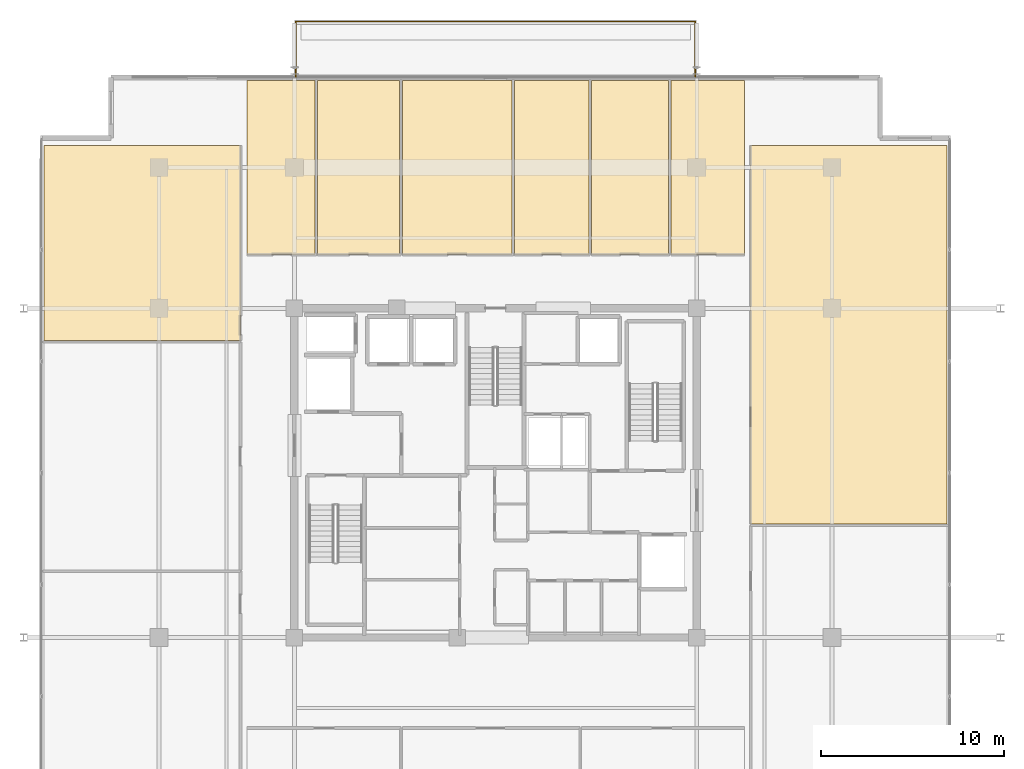
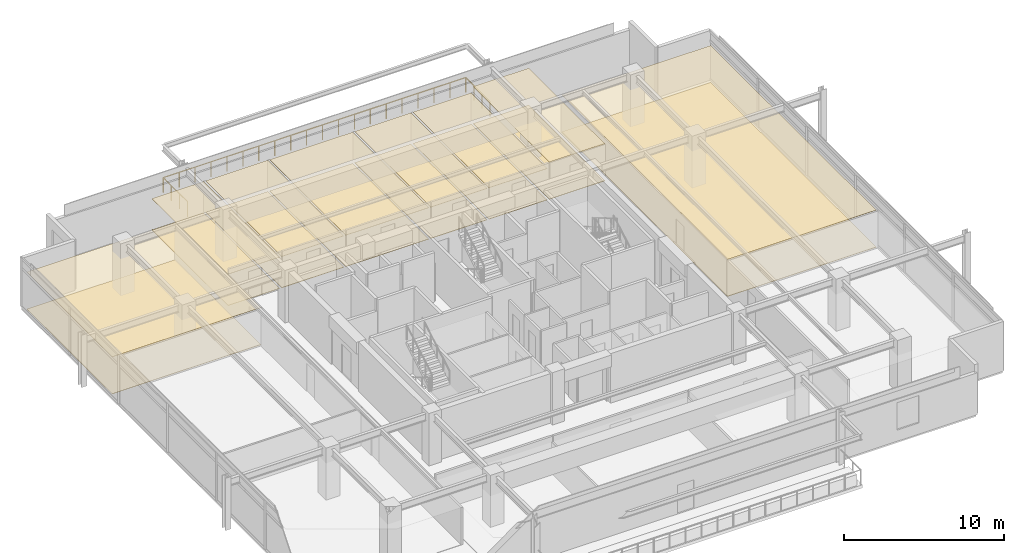
# One storey, part 20 of 20: 16 coverings, 1 railing.
"""IFC4 building model written with IfcOpenShell, lengths in metres."""

import ifcopenshell
import ifcopenshell.guid

model = None  # the IFC model being written
_history = None  # IfcOwnerHistory: only IFC2X3 demands one
_inside = {}  # id of a spatial element -> (the spatial element, [elements in it])
_under = {}  # id of a project, library or spatial element -> (it, [spatial elements below it])
_declared = {}  # id of a project -> (the project, [libraries it declares])
_typed = {}  # id of a type object -> (the type object, [elements of that type])
_made_of = {}  # id of a material, layer set ... -> (it, [elements and type objects made of it])


def new_model(schema):
    """Start an empty IFC model of exactly this schema.

    Asked for "IFC4X3", IfcOpenShell would pick the latest addendum, in which some entities
    have other attributes; the version numbers below select the first issue.
    IFC2X3 requires an IfcOwnerHistory on every rooted entity: one is made here for all.
    """
    global model, _history
    if schema == "IFC4X3":
        model = ifcopenshell.file(schema_version=(4, 3, 0, 0))
    else:
        model = ifcopenshell.file(schema=schema)
    _inside.clear()
    _under.clear()
    _declared.clear()
    _typed.clear()
    _made_of.clear()
    _history = None
    if model.schema == "IFC2X3":
        org = make("IfcOrganization", Name="unknown")
        user = make(
            "IfcPersonAndOrganization",
            ThePerson=make("IfcPerson", FamilyName="unknown"),
            TheOrganization=org,
        )
        app = make(
            "IfcApplication",
            ApplicationDeveloper=org,
            Version="unknown",
            ApplicationFullName="unknown",
            ApplicationIdentifier="unknown",
        )
        _history = make(
            "IfcOwnerHistory",
            OwningUser=user,
            OwningApplication=app,
            ChangeAction="ADDED",
            CreationDate=0,
        )
    return model


def make(cls, **values):
    """One entity of the class cls with the attributes given. An attribute that is None is left unset."""
    return model.create_entity(
        cls, **{name: value for name, value in values.items() if value is not None}
    )


def rooted(cls, **values):
    """An entity with a GlobalId (a new one), such as an element, a storey or a relation."""
    return make(cls, GlobalId=ifcopenshell.guid.new(), OwnerHistory=_history, **values)


def si_unit(unit_type, name, prefix=None):
    """IfcSIUnit, for example si_unit("LENGTHUNIT", "METRE", prefix="MILLI")."""
    return make("IfcSIUnit", UnitType=unit_type, Prefix=prefix, Name=name)


def assignment(units):
    """IfcUnitAssignment: the units of a project."""
    return None if units is None else make("IfcUnitAssignment", Units=units)


def point(xyz):
    """IfcCartesianPoint."""
    return None if xyz is None else make("IfcCartesianPoint", Coordinates=xyz)


def direction(xyz):
    """IfcDirection."""
    return None if xyz is None else make("IfcDirection", DirectionRatios=xyz)


def frame(location, z_axis=None, x_axis=None):
    """IfcAxis2Placement3D, a coordinate frame: its origin and axes. An axis left out is left unset."""
    return make(
        "IfcAxis2Placement3D",
        Location=point(location),
        Axis=direction(z_axis),
        RefDirection=direction(x_axis),
    )


def frame_2d(location, x_axis=None):
    """IfcAxis2Placement2D, a coordinate frame in the plane: its origin and x axis."""
    return make(
        "IfcAxis2Placement2D", Location=point(location), RefDirection=direction(x_axis)
    )


def origin():
    """The frame at (0, 0, 0) with its axes left unset."""
    return frame((0.0, 0.0, 0.0))


def origin_2d():
    """The frame at (0, 0) in the plane with its x axis left unset."""
    return frame_2d((0.0, 0.0))


def place(relative_to, where):
    """IfcLocalPlacement: puts the frame where relative to a parent placement (None: the world)."""
    return make(
        "IfcLocalPlacement", PlacementRelTo=relative_to, RelativePlacement=where
    )


def context(
    kind, dimensions, precision=None, world=None, true_north=None, identifier=None
):
    """IfcGeometricRepresentationContext, for example the 3D "Model" context."""
    return make(
        "IfcGeometricRepresentationContext",
        ContextIdentifier=identifier,
        ContextType=kind,
        CoordinateSpaceDimension=dimensions,
        Precision=precision,
        WorldCoordinateSystem=world,
        TrueNorth=true_north,
    )


def subcontext(parent, identifier, kind, view, scale=None):
    """IfcGeometricRepresentationSubContext, for example "Body" below "Model"."""
    return make(
        "IfcGeometricRepresentationSubContext",
        ContextIdentifier=identifier,
        ContextType=kind,
        ParentContext=parent,
        TargetScale=scale,
        TargetView=view,
    )


def project(units=None, contexts=None):
    """IfcProject with its units and contexts."""
    return rooted(
        "IfcProject",
        Name="project",
        RepresentationContexts=contexts,
        UnitsInContext=assignment(units),
    )


def spatial(cls, under=None, at=None, **own):
    """A site, building, storey or space (cls), placed at a placement, below another one or the project."""
    s = rooted(cls, ObjectPlacement=at, **own)
    if under is not None:
        _under.setdefault(under.id(), (under, []))[1].append(s)
    return s


def polyline(points):
    """IfcPolyline through the points."""
    return make("IfcPolyline", Points=[point(p) for p in points])


def profile(cls, at=None, kind="AREA", **sizes):
    """A parametric profile (cls). Its sizes go by their IFC names, for example OverallWidth=200.0."""
    return make(cls, ProfileType=kind, Position=at, **sizes)


def circle(**sizes):
    """IfcCircleProfileDef."""
    return profile("IfcCircleProfileDef", **sizes)


def outline(outer, holes=None, kind="AREA"):
    """IfcArbitraryClosedProfileDef: a profile drawn as a closed curve; with holes, ...WithVoids."""
    if holes is None:
        return make("IfcArbitraryClosedProfileDef", ProfileType=kind, OuterCurve=outer)
    return make(
        "IfcArbitraryProfileDefWithVoids",
        ProfileType=kind,
        OuterCurve=outer,
        InnerCurves=holes,
    )


def extrude(swept, where, along, depth):
    """IfcExtrudedAreaSolid: the profile swept, set in the frame where, extruded along a direction by depth."""
    return make(
        "IfcExtrudedAreaSolid",
        SweptArea=swept,
        Position=where,
        ExtrudedDirection=direction(along),
        Depth=depth,
    )


def shape(context_of_items, identifier, shape_type, items):
    """IfcShapeRepresentation: the items that make up one representation, for example the "Body"."""
    return make(
        "IfcShapeRepresentation",
        ContextOfItems=context_of_items,
        RepresentationIdentifier=identifier,
        RepresentationType=shape_type,
        Items=items,
    )


def material(Name=None, Category=None):
    """IfcMaterial."""
    return make("IfcMaterial", Name=Name, Category=Category)


def layer(
    of_material, thickness, ventilated=None, Name=None, Category=None, Priority=None
):
    """IfcMaterialLayer: one layer of a wall or slab, of a material (None: an air gap)."""
    return make(
        "IfcMaterialLayer",
        Material=of_material,
        LayerThickness=thickness,
        IsVentilated=ventilated,
        Name=Name,
        Category=Category,
        Priority=Priority,
    )


def layer_set(layers, Name=None):
    """IfcMaterialLayerSet."""
    return make("IfcMaterialLayerSet", MaterialLayers=layers, LayerSetName=Name)


def made_of(thing, what):
    """Note that an element or type object is made of a material, layer set ...; save() writes the relation."""
    if what is not None:
        _made_of.setdefault(what.id(), (what, []))[1].append(thing)
    return thing


def type_object(cls, material=None, **own):
    """A type object (cls), such as IfcWallType, which elements share."""
    return made_of(rooted(cls, **own), material)


def element(
    cls,
    number,
    at=None,
    inside=None,
    cuts=None,
    type_object=None,
    material=None,
    context=None,
    identifier="Body",
    shape_type=None,
    held_by="IfcProductDefinitionShape",
    body=None,
    shapes=None,
    **own,
):
    """One element of the class cls, such as IfcWall. Its Tag is "e" and its number.

    at: its placement. inside: the storey or other place that contains it. cuts: it is an
    opening in that element (IfcRelVoidsElement). A single representation is given by context,
    identifier, shape_type and body (its items); several are given by shapes. held_by: the class
    of the entity that holds the representations. save() writes the other relations.
    """
    e = rooted(cls, Tag="e%d" % number, ObjectPlacement=at, **own)
    if body is not None:
        shapes = [shape(context, identifier, shape_type, body)]
    if shapes is not None:
        e.Representation = make(held_by, Representations=shapes)
    if inside is not None:
        _inside.setdefault(inside.id(), (inside, []))[1].append(e)
    if cuts is not None:
        rooted(
            "IfcRelVoidsElement", RelatingBuildingElement=cuts, RelatedOpeningElement=e
        )
    if type_object is not None:
        _typed.setdefault(type_object.id(), (type_object, []))[1].append(e)
    return made_of(e, material)


def aggregate(whole, parts):
    """IfcRelAggregates: a whole, such as a stair, and the parts it consists of."""
    return rooted("IfcRelAggregates", RelatingObject=whole, RelatedObjects=parts)


def save(model, path):
    """Write the relations noted so far, then the file.

    IfcRelAggregates (storeys below a building ...), IfcRelContainedInSpatialStructure (elements
    in a storey), IfcRelDefinesByType, IfcRelAssociatesMaterial and IfcRelDeclares: one each for
    every whole, place, type object, material and project.
    """
    for whole, parts in _under.values():
        aggregate(whole, parts)
    for where, things in _inside.values():
        rooted(
            "IfcRelContainedInSpatialStructure",
            RelatedElements=things,
            RelatingStructure=where,
        )
    for kind, things in _typed.values():
        rooted("IfcRelDefinesByType", RelatedObjects=things, RelatingType=kind)
    for what, things in _made_of.values():
        rooted("IfcRelAssociatesMaterial", RelatedObjects=things, RelatingMaterial=what)
    for by, libraries in _declared.values():
        rooted("IfcRelDeclares", RelatingContext=by, RelatedDefinitions=libraries)
    model.write(path)


model = new_model("IFC4")

# Units and contexts
model_context = context("Model", 3, precision=1e-05, world=origin(), true_north=direction((0.0, 1.0)))
body_context = subcontext(model_context, "Body", "Model", "MODEL_VIEW")
ifc_project = project(units=[si_unit("LENGTHUNIT", "METRE"), si_unit("AREAUNIT", "SQUARE_METRE"), si_unit("VOLUMEUNIT", "CUBIC_METRE"), si_unit("PLANEANGLEUNIT", "RADIAN"), si_unit("MASSUNIT", "GRAM", prefix="KILO")], contexts=[model_context])

# Site, building, storey
site_placement = place(None, origin())
site = spatial("IfcSite", under=ifc_project, at=site_placement, CompositionType="ELEMENT")
building_placement = place(site_placement, origin())
building = spatial("IfcBuilding", under=site, at=building_placement, Name="Kovane Verandah Tower", CompositionType="ELEMENT")
storey_placement = place(building_placement, frame((0.0, 0.0, 318.800048828125)))
storey = spatial("IfcBuildingStorey", under=building, at=storey_placement, Name="L74", CompositionType="ELEMENT", Elevation=318.800048828125)

# Coverings
ifc_material_1 = material(Name="Perforated Acoustic Mineral-Fibre Ceiling Tile", Category="gypsum")
ifc_layer_1 = layer(ifc_material_1, 0.02490234375)
ifc_layer_set_1 = layer_set([ifc_layer_1], Name="Perforated Acoustic Mineral-Fibre Ceiling Tile")
covering_type_1 = type_object("IfcCoveringType", Name="CV-CEIL-25", PredefinedType="CEILING", material=ifc_layer_set_1)
covering_1_placement = place(storey_placement, frame((0.0, 0.0, 2.389892578125)))
element("IfcCovering", 1, at=covering_1_placement, inside=storey, type_object=covering_type_1, Name="L74 Meeting Room N1 Acoustic Ceiling", PredefinedType="CEILING", context=body_context, shape_type="SweptSolid", body=[
    extrude(outline(polyline([(26.39990234375, 39.449951171875), (30.137939453125, 39.449951171875), (30.137939453125, 48.9658203125), (26.39990234375, 48.9658203125), (26.39990234375, 39.449951171875)])), origin(), (0.0, 0.0, 1.0), 0.025146484375),
])
covering_2_placement = place(storey_placement, frame((0.0, 0.0, 2.389892578125)))
element("IfcCovering", 2, at=covering_2_placement, inside=storey, type_object=covering_type_1, Name="L74 Focus Studio N2 Acoustic Ceiling", PredefinedType="CEILING", context=body_context, shape_type="SweptSolid", body=[
    extrude(outline(polyline([(30.278076171875, 39.449951171875), (34.761962890625, 39.449951171875), (34.761962890625, 48.9658203125), (30.278076171875, 48.9658203125), (30.278076171875, 39.449951171875)])), origin(), (0.0, 0.0, 1.0), 0.025146484375),
])
covering_3_placement = place(storey_placement, frame((0.0, 0.0, 2.389892578125)))
element("IfcCovering", 3, at=covering_3_placement, inside=storey, type_object=covering_type_1, Name="L74 Breakout Pantry N3 Acoustic Ceiling", PredefinedType="CEILING", context=body_context, shape_type="SweptSolid", body=[
    extrude(outline(polyline([(34.902099609375, 39.449951171875), (40.89990234375, 39.449951171875), (40.89990234375, 48.9658203125), (34.902099609375, 48.9658203125), (34.902099609375, 39.449951171875)])), origin(), (0.0, 0.0, 1.0), 0.025146484375),
])
covering_4_placement = place(storey_placement, frame((0.0, 0.0, 2.389892578125)))
element("IfcCovering", 4, at=covering_4_placement, inside=storey, type_object=covering_type_1, Name="L74 Collaboration Hub N4 Acoustic Ceiling", PredefinedType="CEILING", context=body_context, shape_type="SweptSolid", body=[
    extrude(outline(polyline([(41.0400390625, 39.449951171875), (45.097900390625, 39.449951171875), (45.097900390625, 48.9658203125), (41.0400390625, 48.9658203125), (41.0400390625, 39.449951171875)])), origin(), (0.0, 0.0, 1.0), 0.025146484375),
])
covering_5_placement = place(storey_placement, frame((0.0, 0.0, 2.389892578125)))
element("IfcCovering", 5, at=covering_5_placement, inside=storey, type_object=covering_type_1, Name="L74 Document and Print Room N5 Acoustic Ceiling", PredefinedType="CEILING", context=body_context, shape_type="SweptSolid", body=[
    extrude(outline(polyline([(45.238037109375, 39.449951171875), (49.449951171875, 39.449951171875), (49.449951171875, 48.9658203125), (45.238037109375, 48.9658203125), (45.238037109375, 39.449951171875)])), origin(), (0.0, 0.0, 1.0), 0.025146484375),
])
covering_6_placement = place(storey_placement, frame((0.0, 0.0, 2.824951171875)))
element("IfcCovering", 6, at=covering_6_placement, inside=storey, type_object=covering_type_1, Name="L74 Open Plan Office N6 Acoustic Ceiling", PredefinedType="CEILING", context=body_context, shape_type="SweptSolid", body=[
    extrude(outline(polyline([(49.590087890625, 39.449951171875), (53.60009765625, 39.449951171875), (53.60009765625, 48.9658203125), (49.590087890625, 48.9658203125), (49.590087890625, 39.449951171875)])), origin(), (0.0, 0.0, 1.0), 0.02490234375),
])
covering_7_placement = place(storey_placement, frame((0.0, 0.0, 2.824951171875)))
element("IfcCovering", 7, at=covering_7_placement, inside=storey, type_object=covering_type_1, Name="L74 Collaboration Hub W3 Acoustic Ceiling", PredefinedType="CEILING", context=body_context, shape_type="SweptSolid", body=[
    extrude(outline(polyline([(15.318603515625, 34.736328125), (26.050048828125, 34.736328125), (26.050048828125, 45.415771484375), (15.318603515625, 45.415771484375), (15.318603515625, 34.736328125)])), origin(), (0.0, 0.0, 1.0), 0.02490234375),
])
covering_8_placement = place(storey_placement, frame((0.0, 0.0, 2.824951171875)))
element("IfcCovering", 8, at=covering_8_placement, inside=storey, type_object=covering_type_1, Name="L74 Open Plan Office E2 Acoustic Ceiling", PredefinedType="CEILING", context=body_context, shape_type="SweptSolid", body=[
    extrude(outline(polyline([(53.949951171875, 24.70361328125), (64.681396484375, 24.70361328125), (64.681396484375, 45.415771484375), (53.949951171875, 45.415771484375), (53.949951171875, 24.70361328125)])), origin(), (0.0, 0.0, 1.0), 0.02490234375),
])
ifc_material_2 = material(Name="Polished Terrazzo and Raised-Access Carpet Tile Finish", Category="concrete")
ifc_layer_2 = layer(ifc_material_2, 0.030029296875)
ifc_layer_set_2 = layer_set([ifc_layer_2], Name="Polished Terrazzo and Raised-Access Carpet Tile Finish")
covering_type_2 = type_object("IfcCoveringType", Name="CV-FLOR-30", PredefinedType="FLOORING", material=ifc_layer_set_2)
covering_9_placement = place(storey_placement, origin())
element("IfcCovering", 9, at=covering_9_placement, inside=storey, type_object=covering_type_2, Name="L74 Meeting Room N1 Floor Finish", PredefinedType="FLOORING", context=body_context, shape_type="SweptSolid", body=[
    extrude(outline(polyline([(26.39990234375, 39.449951171875), (30.137939453125, 39.449951171875), (30.137939453125, 48.9658203125), (26.39990234375, 48.9658203125), (26.39990234375, 39.449951171875)])), origin(), (0.0, 0.0, 1.0), 0.030029296875),
])
covering_10_placement = place(storey_placement, origin())
element("IfcCovering", 10, at=covering_10_placement, inside=storey, type_object=covering_type_2, Name="L74 Focus Studio N2 Floor Finish", PredefinedType="FLOORING", context=body_context, shape_type="SweptSolid", body=[
    extrude(outline(polyline([(30.278076171875, 39.449951171875), (34.761962890625, 39.449951171875), (34.761962890625, 48.9658203125), (30.278076171875, 48.9658203125), (30.278076171875, 39.449951171875)])), origin(), (0.0, 0.0, 1.0), 0.030029296875),
])
covering_11_placement = place(storey_placement, origin())
element("IfcCovering", 11, at=covering_11_placement, inside=storey, type_object=covering_type_2, Name="L74 Breakout Pantry N3 Floor Finish", PredefinedType="FLOORING", context=body_context, shape_type="SweptSolid", body=[
    extrude(outline(polyline([(34.902099609375, 39.449951171875), (40.89990234375, 39.449951171875), (40.89990234375, 48.9658203125), (34.902099609375, 48.9658203125), (34.902099609375, 39.449951171875)])), origin(), (0.0, 0.0, 1.0), 0.030029296875),
])
covering_12_placement = place(storey_placement, origin())
element("IfcCovering", 12, at=covering_12_placement, inside=storey, type_object=covering_type_2, Name="L74 Collaboration Hub N4 Floor Finish", PredefinedType="FLOORING", context=body_context, shape_type="SweptSolid", body=[
    extrude(outline(polyline([(41.0400390625, 39.449951171875), (45.097900390625, 39.449951171875), (45.097900390625, 48.9658203125), (41.0400390625, 48.9658203125), (41.0400390625, 39.449951171875)])), origin(), (0.0, 0.0, 1.0), 0.030029296875),
])
covering_13_placement = place(storey_placement, origin())
element("IfcCovering", 13, at=covering_13_placement, inside=storey, type_object=covering_type_2, Name="L74 Document and Print Room N5 Floor Finish", PredefinedType="FLOORING", context=body_context, shape_type="SweptSolid", body=[
    extrude(outline(polyline([(45.238037109375, 39.449951171875), (49.449951171875, 39.449951171875), (49.449951171875, 48.9658203125), (45.238037109375, 48.9658203125), (45.238037109375, 39.449951171875)])), origin(), (0.0, 0.0, 1.0), 0.030029296875),
])
covering_14_placement = place(storey_placement, origin())
element("IfcCovering", 14, at=covering_14_placement, inside=storey, type_object=covering_type_2, Name="L74 Open Plan Office N6 Floor Finish", PredefinedType="FLOORING", context=body_context, shape_type="SweptSolid", body=[
    extrude(outline(polyline([(49.590087890625, 39.449951171875), (53.60009765625, 39.449951171875), (53.60009765625, 48.9658203125), (49.590087890625, 48.9658203125), (49.590087890625, 39.449951171875)])), origin(), (0.0, 0.0, 1.0), 0.030029296875),
])
covering_15_placement = place(storey_placement, origin())
element("IfcCovering", 15, at=covering_15_placement, inside=storey, type_object=covering_type_2, Name="L74 Collaboration Hub W3 Floor Finish", PredefinedType="FLOORING", context=body_context, shape_type="SweptSolid", body=[
    extrude(outline(polyline([(15.318603515625, 34.736328125), (26.050048828125, 34.736328125), (26.050048828125, 45.415771484375), (15.318603515625, 45.415771484375), (15.318603515625, 34.736328125)])), origin(), (0.0, 0.0, 1.0), 0.030029296875),
])
covering_16_placement = place(storey_placement, origin())
element("IfcCovering", 16, at=covering_16_placement, inside=storey, type_object=covering_type_2, Name="L74 Open Plan Office E2 Floor Finish", PredefinedType="FLOORING", context=body_context, shape_type="SweptSolid", body=[
    extrude(outline(polyline([(53.949951171875, 24.70361328125), (64.681396484375, 24.70361328125), (64.681396484375, 45.415771484375), (53.949951171875, 45.415771484375), (53.949951171875, 24.70361328125)])), origin(), (0.0, 0.0, 1.0), 0.030029296875),
])

# Railing
ifc_material_3 = material(Name="Laminated Glass and Pale-Champagne Stainless Balustrade", Category="glass")
railing_type = type_object("IfcRailingType", Name="RL-BAL-1150", PredefinedType="BALUSTRADE", material=ifc_material_3)
railing_placement = place(storey_placement, frame((29.080078125, 49.165771484375, 0.0)))
element("IfcRailing", 17, at=railing_placement, inside=storey, type_object=railing_type, Name="L74 N Verandah Glass Balustrade", PredefinedType="BALUSTRADE", context=body_context, shape_type="SweptSolid", body=[
    extrude(circle(Radius=0.02392578125, at=origin_2d()), frame((0.0, 0.0, 1.1259765625), z_axis=(0.0, 1.0, 0.0), x_axis=(-1.0, 0.0, 0.0)), (0.0, 0.0, 1.0), 3.02001953125),
    extrude(circle(Radius=0.02392578125, at=origin_2d()), frame((0.0, 3.02001953125, 1.1259765625), z_axis=(1.0, 0.0, 0.0), x_axis=(0.0, 1.0, 0.0)), (0.0, 0.0, 1.0), 21.83984375),
    extrude(circle(Radius=0.02392578125, at=origin_2d()), frame((21.83984375, 3.02001953125, 1.1259765625), z_axis=(0.0, -1.0, 0.0), x_axis=(1.0, 0.0, 0.0)), (0.0, 0.0, 1.0), 3.02001953125),
    extrude(circle(Radius=0.02099609375, at=origin_2d()), origin(), (0.0, 0.0, 1.0), 1.101806640625),
    extrude(circle(Radius=0.02099609375, at=origin_2d()), frame((0.0, 1.006591796875, 0.0)), (0.0, 0.0, 1.0), 1.101806640625),
    extrude(circle(Radius=0.02099609375, at=origin_2d()), frame((0.0, 2.013427734375, 0.0)), (0.0, 0.0, 1.0), 1.101806640625),
    extrude(circle(Radius=0.02099609375, at=origin_2d()), frame((0.0, 3.02001953125, 0.0)), (0.0, 0.0, 1.0), 1.101806640625),
    extrude(circle(Radius=0.02099609375, at=origin_2d()), frame((1.1494140625, 3.02001953125, 0.0)), (0.0, 0.0, 1.0), 1.101806640625),
    extrude(circle(Radius=0.02099609375, at=origin_2d()), frame((2.298828125, 3.02001953125, 0.0)), (0.0, 0.0, 1.0), 1.101806640625),
    extrude(circle(Radius=0.02099609375, at=origin_2d()), frame((3.448486328125, 3.02001953125, 0.0)), (0.0, 0.0, 1.0), 1.101806640625),
    extrude(circle(Radius=0.02099609375, at=origin_2d()), frame((4.597900390625, 3.02001953125, 0.0)), (0.0, 0.0, 1.0), 1.101806640625),
    extrude(circle(Radius=0.02099609375, at=origin_2d()), frame((5.747314453125, 3.02001953125, 0.0)), (0.0, 0.0, 1.0), 1.101806640625),
    extrude(circle(Radius=0.02099609375, at=origin_2d()), frame((6.896728515625, 3.02001953125, 0.0)), (0.0, 0.0, 1.0), 1.101806640625),
    extrude(circle(Radius=0.02099609375, at=origin_2d()), frame((8.046142578125, 3.02001953125, 0.0)), (0.0, 0.0, 1.0), 1.101806640625),
    extrude(circle(Radius=0.02099609375, at=origin_2d()), frame((9.19580078125, 3.02001953125, 0.0)), (0.0, 0.0, 1.0), 1.101806640625),
    extrude(circle(Radius=0.02099609375, at=origin_2d()), frame((10.34521484375, 3.02001953125, 0.0)), (0.0, 0.0, 1.0), 1.101806640625),
    extrude(circle(Radius=0.02099609375, at=origin_2d()), frame((11.49462890625, 3.02001953125, 0.0)), (0.0, 0.0, 1.0), 1.101806640625),
    extrude(circle(Radius=0.02099609375, at=origin_2d()), frame((12.64404296875, 3.02001953125, 0.0)), (0.0, 0.0, 1.0), 1.101806640625),
    extrude(circle(Radius=0.02099609375, at=origin_2d()), frame((13.793701171875, 3.02001953125, 0.0)), (0.0, 0.0, 1.0), 1.101806640625),
    extrude(circle(Radius=0.02099609375, at=origin_2d()), frame((14.943115234375, 3.02001953125, 0.0)), (0.0, 0.0, 1.0), 1.101806640625),
    extrude(circle(Radius=0.02099609375, at=origin_2d()), frame((16.092529296875, 3.02001953125, 0.0)), (0.0, 0.0, 1.0), 1.101806640625),
    extrude(circle(Radius=0.02099609375, at=origin_2d()), frame((17.241943359375, 3.02001953125, 0.0)), (0.0, 0.0, 1.0), 1.101806640625),
    extrude(circle(Radius=0.02099609375, at=origin_2d()), frame((18.391357421875, 3.02001953125, 0.0)), (0.0, 0.0, 1.0), 1.101806640625),
    extrude(circle(Radius=0.02099609375, at=origin_2d()), frame((19.541015625, 3.02001953125, 0.0)), (0.0, 0.0, 1.0), 1.101806640625),
    extrude(circle(Radius=0.02099609375, at=origin_2d()), frame((20.6904296875, 3.02001953125, 0.0)), (0.0, 0.0, 1.0), 1.101806640625),
    extrude(circle(Radius=0.02099609375, at=origin_2d()), frame((21.83984375, 3.02001953125, 0.0)), (0.0, 0.0, 1.0), 1.101806640625),
    extrude(circle(Radius=0.02099609375, at=origin_2d()), frame((21.83984375, 2.013427734375, 0.0)), (0.0, 0.0, 1.0), 1.101806640625),
    extrude(circle(Radius=0.02099609375, at=origin_2d()), frame((21.83984375, 1.006591796875, 0.0)), (0.0, 0.0, 1.0), 1.101806640625),
    extrude(circle(Radius=0.02099609375, at=origin_2d()), frame((21.83984375, 0.0, 0.0)), (0.0, 0.0, 1.0), 1.101806640625),
])

save(model, "model.ifc")
